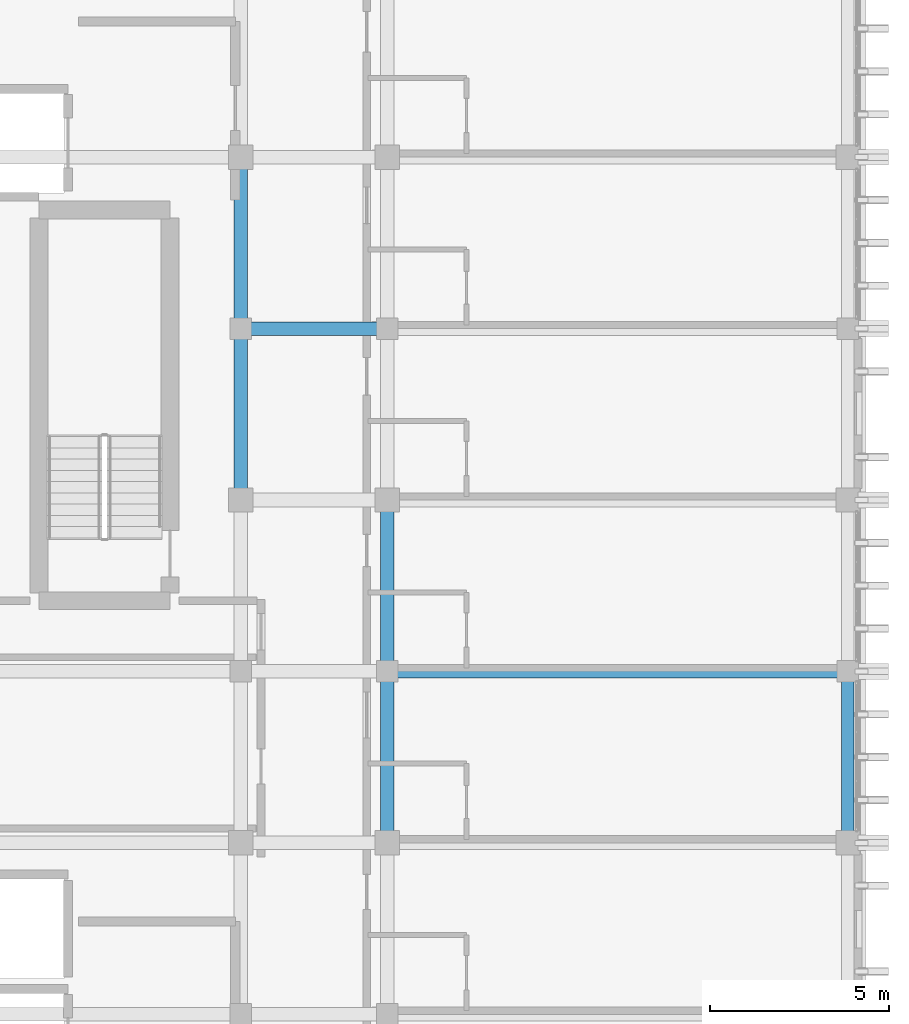
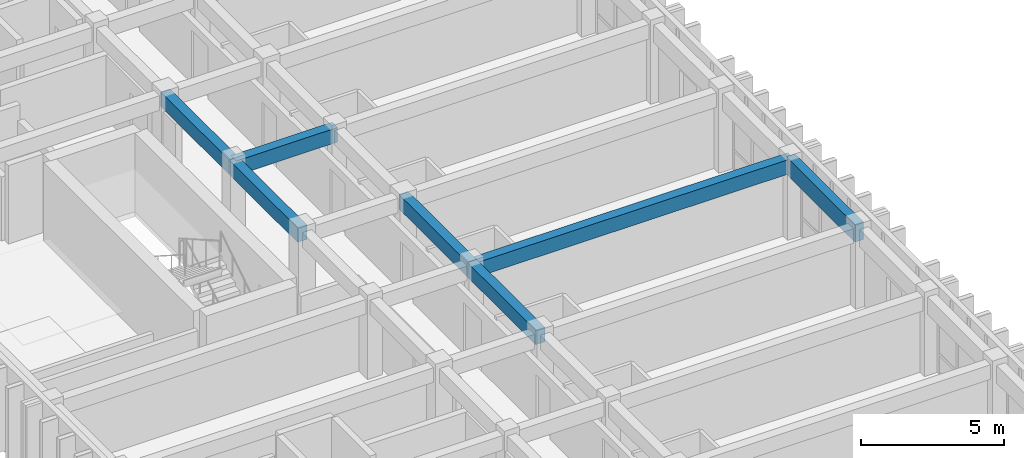
# One storey, part 30 of 53: 7 beams.
"""IFC4 building model written with IfcOpenShell, lengths in metres."""

from ifc_helpers import new_model, si_unit, direction, frame, origin, origin_2d, place, context, subcontext, project, spatial, rectangle, extrude, material, material_profile, profile_set, type_object, element, save


model = new_model("IFC4")

# Units and contexts
model_context = context("Model", 3, precision=1e-05, world=origin(), true_north=direction((0.0, 1.0)))
body_context = subcontext(model_context, "Body", "Model", "MODEL_VIEW")
ifc_project = project(units=[si_unit("LENGTHUNIT", "METRE"), si_unit("AREAUNIT", "SQUARE_METRE"), si_unit("VOLUMEUNIT", "CUBIC_METRE"), si_unit("PLANEANGLEUNIT", "RADIAN"), si_unit("MASSUNIT", "GRAM", prefix="KILO")], contexts=[model_context])

# Site, building, storey
site_placement = place(None, origin())
site = spatial("IfcSite", under=ifc_project, at=site_placement, CompositionType="ELEMENT")
building_placement = place(site_placement, origin())
building = spatial("IfcBuilding", under=site, at=building_placement, Name="Nakhvara Creek Congress Hotel", CompositionType="ELEMENT")
storey_placement = place(building_placement, frame((0.0, 0.0, 35.39990234375)))
storey = spatial("IfcBuildingStorey", under=building, at=storey_placement, Name="L08", CompositionType="ELEMENT", Elevation=35.39990234375)

# Beams
ifc_material = material(Name="Concrete C40/50", Category="concrete")
ifc_material_profile_1 = material_profile(ifc_material, rectangle(XDim=0.3798828125, YDim=0.6201171875, at=origin_2d()), Name="RC-BM 380x620", Category="LoadBearing")
ifc_profile_set_1 = profile_set([ifc_material_profile_1], Name="Concrete C40/50")
beam_type_1 = type_object("IfcBeamType", Name="BM-RC-380X620", PredefinedType="BEAM", material=ifc_profile_set_1)
beam_1_placement = place(storey_placement, frame((162.35009765625, 105.60009765625, 3.050048828125), z_axis=(0.0, 1.0, 0.0), x_axis=(-1.0, 0.0, 0.0)))
element("IfcBeam", 1, at=beam_1_placement, inside=storey, type_object=beam_type_1, Name="Beam B10-L08-2467", PredefinedType="BEAM", context=body_context, shape_type="SweptSolid", body=[
    extrude(rectangle(XDim=0.3798828125, YDim=0.6201171875, at=origin_2d()), origin(), (0.0, 0.0, 1.0), 4.7998046875),
])
for number, where, z_axis, x_axis, name in (
    (2, (162.35009765625, 110.39990234375, 3.050048828125), (0.0, 1.0, 0.0), (-1.0, 0.0, 0.0), "Beam B10-L08-2469"),
    (3, (166.449951171875, 96.0, 3.050048828125), (0.0, 1.0, 0.0), (-1.0, 0.0, 0.0), "Beam B10-L08-2487"),
    (4, (166.449951171875, 100.800048828125, 3.050048828125), (0.0, 1.0, 0.0), (-1.0, 0.0, 0.0), "Beam B10-L08-2489"),
):
    element("IfcBeam", number, at=place(storey_placement, frame(where, z_axis=z_axis, x_axis=x_axis)), inside=storey, type_object=beam_type_1, Name=name, PredefinedType="BEAM", context=body_context, shape_type="SweptSolid", body=[
        extrude(rectangle(XDim=0.3798828125, YDim=0.6201171875, at=origin_2d()), origin(), (0.0, 0.0, 1.0), 4.800048828125),
    ])
beam_2_placement = place(storey_placement, frame((162.35009765625, 110.39990234375, 3.050048828125), z_axis=(1.0, 0.0, 0.0), x_axis=(0.0, 1.0, 0.0)))
element("IfcBeam", 5, at=beam_2_placement, inside=storey, type_object=beam_type_1, Name="Beam B10-L08-2523", PredefinedType="BEAM", context=body_context, shape_type="SweptSolid", body=[
    extrude(rectangle(XDim=0.3798828125, YDim=0.6201171875, at=origin_2d()), origin(), (0.0, 0.0, 1.0), 4.099853515625),
])
beam_3_placement = place(storey_placement, frame((166.449951171875, 100.800048828125, 3.050048828125), z_axis=(1.0, 0.0, 0.0), x_axis=(0.0, 1.0, 0.0)))
element("IfcBeam", 6, at=beam_3_placement, inside=storey, type_object=beam_type_1, Name="Beam B10-L08-2530", PredefinedType="BEAM", context=body_context, shape_type="SweptSolid", body=[
    extrude(rectangle(XDim=0.3798828125, YDim=0.6201171875, at=origin_2d()), origin(), (0.0, 0.0, 1.0), 12.900146484375),
])
ifc_material_profile_2 = material_profile(ifc_material, rectangle(XDim=0.35009765625, YDim=0.75, at=origin_2d()), Name="RC-SPANDREL 350x750", Category="LoadBearing")
ifc_profile_set_2 = profile_set([ifc_material_profile_2], Name="Concrete C40/50")
beam_type_2 = type_object("IfcBeamType", Name="BM-SPN-350X750", PredefinedType="SPANDREL", material=ifc_profile_set_2)
beam_4_placement = place(storey_placement, frame((179.35009765625, 96.0, 2.985107421875), z_axis=(0.0, 1.0, 0.0), x_axis=(-1.0, 0.0, 0.0)))
element("IfcBeam", 7, at=beam_4_placement, inside=storey, type_object=beam_type_2, Name="Beam SP1-L08-2505", PredefinedType="SPANDREL", context=body_context, shape_type="SweptSolid", body=[
    extrude(rectangle(XDim=0.35009765625, YDim=0.75, at=origin_2d()), origin(), (0.0, 0.0, 1.0), 4.800048828125),
])

save(model, "model.ifc")
